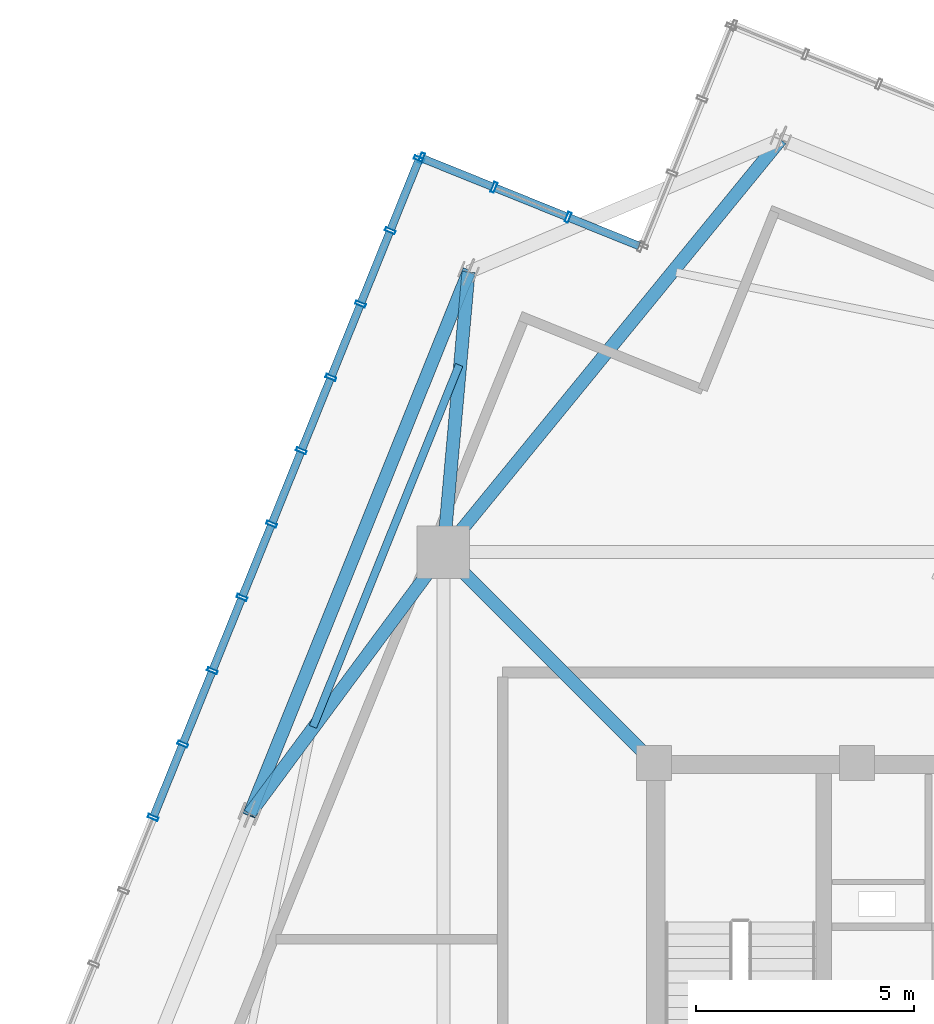
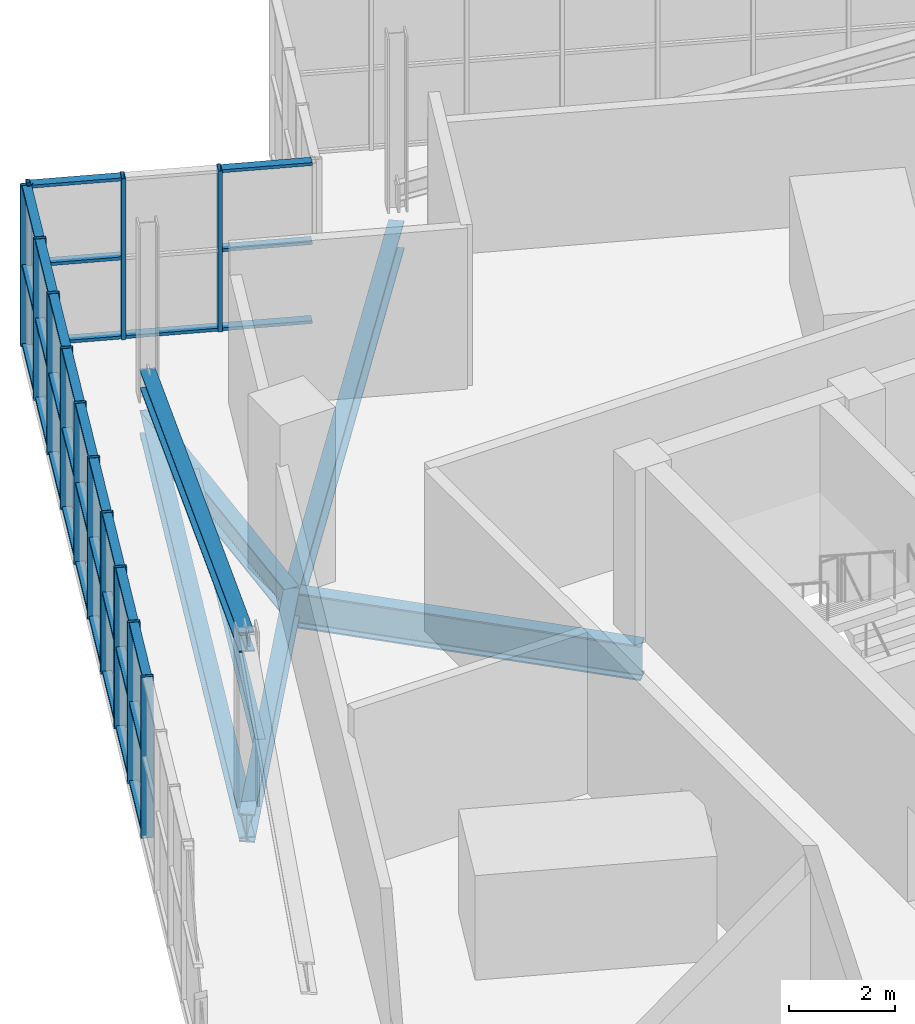
# One storey, part 12 of 26: 48 members, 6 beams, 2 elements without a shape of their own.
"""IFC4 building model written with IfcOpenShell, lengths in metres."""

from ifc_helpers import new_model, si_unit, direction, frame, origin, origin_2d, place, context, subcontext, project, spatial, hollow_rectangle, i_section, extrude, source, transform, mapped, material, layer, layer_set, material_profile, profile_set, type_object, element, aggregate, save


model = new_model("IFC4")

# Units and contexts
model_context = context("Model", 3, precision=1e-05, world=origin(), true_north=direction((0.0, 1.0)))
body_context = subcontext(model_context, "Body", "Model", "MODEL_VIEW")
ifc_project = project(units=[si_unit("LENGTHUNIT", "METRE"), si_unit("AREAUNIT", "SQUARE_METRE"), si_unit("VOLUMEUNIT", "CUBIC_METRE"), si_unit("PLANEANGLEUNIT", "RADIAN"), si_unit("MASSUNIT", "GRAM", prefix="KILO"), si_unit("THERMODYNAMICTEMPERATUREUNIT", "KELVIN")], contexts=[model_context])

# Site, building, storey
site_placement = place(None, origin())
site = spatial("IfcSite", under=ifc_project, at=site_placement, CompositionType="ELEMENT")
building_placement = place(site_placement, origin())
building = spatial("IfcBuilding", under=site, at=building_placement, Name="Kosmvard Interchange Tower", CompositionType="ELEMENT")
storey_placement = place(building_placement, frame((0.0, 0.0, 337.60009765625)))
storey = spatial("IfcBuildingStorey", under=building, at=storey_placement, Name="L83", CompositionType="ELEMENT", Elevation=337.60009765625)

# Beam
ifc_material_1 = material(Name="Steel S355", Category="steel")
ifc_material_profile_1 = material_profile(ifc_material_1, i_section(OverallWidth=0.300048828125, OverallDepth=0.800048828125, WebThickness=0.017578125, FlangeThickness=0.032958984375, FilletRadius=0.027099609375, at=origin_2d()), Name="HEB 800")
ifc_profile_set_1 = profile_set([ifc_material_profile_1], Name="Steel S355")
beam_type_1 = type_object("IfcBeamType", Name="Primary Mega-Frame Girder HEB 800 S355", PredefinedType="BEAM", material=ifc_profile_set_1)
shared_shape_1 = source(origin(), body_context, "Body", "SweptSolid", [
    extrude(i_section(OverallWidth=0.300048828125, OverallDepth=0.800048828125, WebThickness=0.017578125, FlangeThickness=0.032958984375, FilletRadius=0.027099609375, at=origin_2d()), origin(), (0.0, 0.0, 1.0), 6.83203125),
])
beam_1_placement = place(storey_placement, frame((-8.25, 8.25, -0.7001953125), z_axis=(-0.707106781187, 0.707106781187, 0.0), x_axis=(-0.707106781187, -0.707106781187, 0.0)))
element("IfcBeam", 1, at=beam_1_placement, inside=storey, type_object=beam_type_1, Name="L83 Radial Mega-Frame Girder 4", PredefinedType="BEAM", context=body_context, shape_type="MappedRepresentation", body=[
    mapped(shared_shape_1, transform((0.0, 0.0, 0.0), scale=1.0)),
])

# Member
ifc_material_profile_2 = material_profile(ifc_material_1, i_section(OverallWidth=0.300048828125, OverallDepth=0.39990234375, WebThickness=0.013427734375, FlangeThickness=0.02392578125, FilletRadius=0.027099609375, at=origin_2d()), Name="HEB 400")
ifc_profile_set_2 = profile_set([ifc_material_profile_2], Name="Steel S355")
member_type_1 = type_object("IfcMemberType", Name="Lantern Crown Diagrid Brace HEB 400 S355", PredefinedType="BRACE", material=ifc_profile_set_2)
shared_shape_2 = source(origin(), body_context, "Body", "SweptSolid", [
    extrude(i_section(OverallWidth=0.300048828125, OverallDepth=0.39990234375, WebThickness=0.013427734375, FlangeThickness=0.02392578125, FilletRadius=0.027099609375, at=origin_2d()), origin(), (0.0, 0.0, 1.0), 13.78369140625),
])
member_1_placement = place(storey_placement, frame((-12.504150390625, 19.50439453125, 0.419921875), z_axis=(-0.364162635972, -0.901373372792, 0.234332279859), x_axis=(0.927189515839, -0.374592580972, 0.0)))
element("IfcMember", 2, at=member_1_placement, inside=storey, type_object=member_type_1, Name="L83 Crown Lantern Diagrid Brace N1", PredefinedType="BRACE", context=body_context, shape_type="MappedRepresentation", body=[
    mapped(shared_shape_2, transform((0.0, 0.0, 0.0), scale=1.0)),
])

# Beams
ifc_material_profile_3 = material_profile(ifc_material_1, i_section(OverallWidth=0.300048828125, OverallDepth=0.550048828125, WebThickness=0.014892578125, FlangeThickness=0.029052734375, FilletRadius=0.027099609375, at=origin_2d()), Name="HEB 550")
ifc_profile_set_3 = profile_set([ifc_material_profile_3], Name="Steel S355")
beam_type_2 = type_object("IfcBeamType", Name="Crown Ring Cap Girder HEB 550 S355", PredefinedType="BEAM", material=ifc_profile_set_3)
shared_shape_3 = source(origin(), body_context, "Body", "SweptSolid", [
    extrude(i_section(OverallWidth=0.300048828125, OverallDepth=0.550048828125, WebThickness=0.014892578125, FlangeThickness=0.029052734375, FilletRadius=0.027099609375, at=origin_2d()), origin(), (0.0, 0.0, 1.0), 13.39990234375),
])
beam_2_placement = place(storey_placement, frame((-12.504150390625, 19.50439453125, -0.5751953125), z_axis=(-0.374592580972, -0.927189515839, 0.0), x_axis=(0.927189515839, -0.374592580972, 0.0)))
element("IfcBeam", 3, at=beam_2_placement, inside=storey, type_object=beam_type_2, Name="BM-L83-PR07", PredefinedType="BEAM", context=body_context, shape_type="MappedRepresentation", body=[
    mapped(shared_shape_3, transform((0.0, 0.0, 0.0), scale=1.0)),
])
ifc_material_profile_4 = material_profile(ifc_material_1, i_section(OverallWidth=0.300048828125, OverallDepth=0.64990234375, WebThickness=0.01611328125, FlangeThickness=0.031005859375, FilletRadius=0.027099609375, at=origin_2d()), Name="HEB 650")
ifc_profile_set_4 = profile_set([ifc_material_profile_4], Name="Steel S355")
beam_type_3 = type_object("IfcBeamType", Name="Primary Floor Girder HEB 650 S355", PredefinedType="BEAM", material=ifc_profile_set_4)
shared_shape_4 = source(origin(), body_context, "Body", "SweptSolid", [
    extrude(i_section(OverallWidth=0.300048828125, OverallDepth=0.64990234375, WebThickness=0.01611328125, FlangeThickness=0.031005859375, FilletRadius=0.027099609375, at=origin_2d()), origin(), (0.0, 0.0, 1.0), 6.44921875),
])
beam_3_placement = place(storey_placement, frame((-13.0810546875, 13.0810546875, -0.625), z_axis=(0.089453694068, 0.995990982197, 0.0), x_axis=(-0.995990982197, 0.089453694068, 0.0)))
element("IfcBeam", 4, at=beam_3_placement, inside=storey, type_object=beam_type_3, Name="BM-L83-RD07", PredefinedType="BEAM", context=body_context, shape_type="MappedRepresentation", body=[
    mapped(shared_shape_4, transform((0.0, 0.0, 0.0), scale=1.0)),
])
shared_shape_5 = source(origin(), body_context, "Body", "SweptSolid", [
    extrude(i_section(OverallWidth=0.300048828125, OverallDepth=0.64990234375, WebThickness=0.01611328125, FlangeThickness=0.031005859375, FilletRadius=0.027099609375, at=origin_2d()), origin(), (0.0, 0.0, 1.0), 7.466552734375),
])
beam_4_placement = place(storey_placement, frame((-13.0810546875, 13.0810546875, -0.625), z_axis=(-0.595007793491, -0.803719929879, 0.0), x_axis=(0.803719929879, -0.595007793491, 0.0)))
element("IfcBeam", 5, at=beam_4_placement, inside=storey, type_object=beam_type_3, Name="BM-L83-RD08", PredefinedType="BEAM", context=body_context, shape_type="MappedRepresentation", body=[
    mapped(shared_shape_5, transform((0.0, 0.0, 0.0), scale=1.0)),
])
shared_shape_6 = source(origin(), body_context, "Body", "SweptSolid", [
    extrude(i_section(OverallWidth=0.300048828125, OverallDepth=0.64990234375, WebThickness=0.01611328125, FlangeThickness=0.031005859375, FilletRadius=0.027099609375, at=origin_2d()), origin(), (0.0, 0.0, 1.0), 12.22265625),
])
beam_5_placement = place(storey_placement, frame((-13.0810546875, 13.0810546875, -0.625), z_axis=(0.632985408079, 0.774163725034, 0.0), x_axis=(-0.774163725034, 0.632985408079, 0.0)))
element("IfcBeam", 6, at=beam_5_placement, inside=storey, type_object=beam_type_3, Name="BM-L83-RD06", PredefinedType="BEAM", context=body_context, shape_type="MappedRepresentation", body=[
    mapped(shared_shape_6, transform((0.0, 0.0, 0.0), scale=1.0)),
])
ifc_material_profile_5 = material_profile(ifc_material_1, i_section(OverallWidth=0.179931640625, OverallDepth=0.39990234375, WebThickness=0.008544921875, FlangeThickness=0.013427734375, FilletRadius=0.02099609375, at=origin_2d()), Name="IPE 400")
ifc_profile_set_5 = profile_set([ifc_material_profile_5], Name="Steel S355")
beam_type_4 = type_object("IfcBeamType", Name="Upper-Zone Floor Joist IPE 400 S355", PredefinedType="JOIST", material=ifc_profile_set_5)
shared_shape_7 = source(origin(), body_context, "Body", "SweptSolid", [
    extrude(i_section(OverallWidth=0.179931640625, OverallDepth=0.39990234375, WebThickness=0.008544921875, FlangeThickness=0.013427734375, FilletRadius=0.02099609375, at=origin_2d()), origin(), (0.0, 0.0, 1.0), 8.9521484375),
])
beam_6_placement = place(storey_placement, frame((-12.71875, 17.374755859375, -0.5), z_axis=(-0.374581187736, -0.927194118723, 0.0), x_axis=(0.927194118723, -0.374581187736, 0.0)))
element("IfcBeam", 7, at=beam_6_placement, inside=storey, type_object=beam_type_4, Name="BM-L83-FJ05", PredefinedType="JOIST", context=body_context, shape_type="MappedRepresentation", body=[
    mapped(shared_shape_7, transform((0.0, 0.0, 0.0), scale=1.0)),
])

# Curtain wall, members
ifc_material_2 = material(Name="Architectural anodised aluminium", Category="aluminium")
ifc_layer = layer(ifc_material_2, 0.25, Name="Architectural anodised aluminium")
ifc_layer_set = layer_set([ifc_layer], Name="Architectural anodised aluminium")
curtain_wall_type = type_object("IfcCurtainWallType", Name="CW-6 Illuminated Crown Lantern Curtain Wall", PredefinedType="NOTDEFINED", material=ifc_layer_set)
curtain_wall_1_placement = place(storey_placement, origin())
curtain_wall_1 = element("IfcCurtainWall", 8, at=curtain_wall_1_placement, inside=storey, type_object=curtain_wall_type, Name="L83 Crown Lantern Glazing Face 06", PredefinedType="NOTDEFINED")
ifc_material_profile_6 = material_profile(ifc_material_2, hollow_rectangle(XDim=0.239990234375, YDim=0.080078125, WallThickness=0.006103515625, at=origin_2d()), Name="CWM 240x80x6")
ifc_profile_set_6 = profile_set([ifc_material_profile_6], Name="Architectural anodised aluminium")
member_type_2 = type_object("IfcMemberType", Name="Lantern & Observation CW Mullion 240x80 Aluminium", PredefinedType="MULLION", material=ifc_profile_set_6)
shared_shape_8 = source(origin(), body_context, "Body", "SweptSolid", [
    extrude(hollow_rectangle(XDim=0.239990234375, YDim=0.080078125, WallThickness=0.006103515625, at=origin_2d()), origin(), (0.0, 0.0, 1.0), 3.699951171875),
])
member_2_placement = place(storey_placement, frame((-10.220458984375, 20.760498046875, 0.0), z_axis=(0.0, 0.0, 1.0), x_axis=(-0.374606501678, -0.927183891631, 0.0)))
member_2 = element("IfcMember", 9, at=member_2_placement, type_object=member_type_2, Name="CW-6 mullion 2", PredefinedType="MULLION", context=body_context, shape_type="MappedRepresentation", body=[
    mapped(shared_shape_8, transform((0.0, 0.0, 0.0), scale=1.0)),
])
member_3_placement = place(storey_placement, frame((-11.92041015625, 21.447265625, 0.0), z_axis=(0.0, 0.0, 1.0), x_axis=(-0.374606501678, -0.927183891631, 0.0)))
member_3 = element("IfcMember", 10, at=member_3_placement, type_object=member_type_2, Name="CW-6 mullion 3", PredefinedType="MULLION", context=body_context, shape_type="MappedRepresentation", body=[
    mapped(shared_shape_8, transform((0.0, 0.0, 0.0), scale=1.0)),
])
member_4_placement = place(storey_placement, frame((-13.583251953125, 22.118896484375, 0.0), z_axis=(0.0, 0.0, 1.0), x_axis=(-0.374606501678, -0.927183891631, 0.0)))
member_4 = element("IfcMember", 11, at=member_4_placement, type_object=member_type_2, Name="CW-6 mullion 4", PredefinedType="MULLION", context=body_context, shape_type="MappedRepresentation", body=[
    mapped(shared_shape_8, transform((0.0, 0.0, 0.0), scale=1.0)),
])

curtain_wall_2_placement = place(storey_placement, origin())
curtain_wall_2 = element("IfcCurtainWall", 12, at=curtain_wall_2_placement, inside=storey, type_object=curtain_wall_type, Name="L83 Crown Lantern Glazing Face 07", PredefinedType="NOTDEFINED")
member_5_placement = place(storey_placement, frame((-13.63525390625, 22.096923828125, 0.0), z_axis=(0.0, 0.0, 1.0), x_axis=(0.927183858065, -0.374606584758, 0.0)))
member_5 = element("IfcMember", 13, at=member_5_placement, type_object=member_type_2, Name="CW-6 mullion 1", PredefinedType="MULLION", context=body_context, shape_type="MappedRepresentation", body=[
    mapped(shared_shape_8, transform((0.0, 0.0, 0.0), scale=1.0)),
])
member_6_placement = place(storey_placement, frame((-14.2998046875, 20.451904296875, 0.0), z_axis=(0.0, 0.0, 1.0), x_axis=(0.927183858065, -0.374606584758, 0.0)))
member_6 = element("IfcMember", 14, at=member_6_placement, type_object=member_type_2, Name="CW-6 mullion 2", PredefinedType="MULLION", context=body_context, shape_type="MappedRepresentation", body=[
    mapped(shared_shape_8, transform((0.0, 0.0, 0.0), scale=1.0)),
])
member_7_placement = place(storey_placement, frame((-14.9794921875, 18.77001953125, 0.0), z_axis=(0.0, 0.0, 1.0), x_axis=(0.927183858065, -0.374606584758, 0.0)))
member_7 = element("IfcMember", 15, at=member_7_placement, type_object=member_type_2, Name="CW-6 mullion 3", PredefinedType="MULLION", context=body_context, shape_type="MappedRepresentation", body=[
    mapped(shared_shape_8, transform((0.0, 0.0, 0.0), scale=1.0)),
])
member_8_placement = place(storey_placement, frame((-15.658935546875, 17.087890625, 0.0), z_axis=(0.0, 0.0, 1.0), x_axis=(0.927183858065, -0.374606584758, 0.0)))
member_8 = element("IfcMember", 16, at=member_8_placement, type_object=member_type_2, Name="CW-6 mullion 4", PredefinedType="MULLION", context=body_context, shape_type="MappedRepresentation", body=[
    mapped(shared_shape_8, transform((0.0, 0.0, 0.0), scale=1.0)),
])
member_9_placement = place(storey_placement, frame((-16.338623046875, 15.40576171875, 0.0), z_axis=(0.0, 0.0, 1.0), x_axis=(0.927183858065, -0.374606584758, 0.0)))
member_9 = element("IfcMember", 17, at=member_9_placement, type_object=member_type_2, Name="CW-6 mullion 5", PredefinedType="MULLION", context=body_context, shape_type="MappedRepresentation", body=[
    mapped(shared_shape_8, transform((0.0, 0.0, 0.0), scale=1.0)),
])
member_10_placement = place(storey_placement, frame((-17.01806640625, 13.723876953125, 0.0), z_axis=(0.0, 0.0, 1.0), x_axis=(0.927183858065, -0.374606584758, 0.0)))
member_10 = element("IfcMember", 18, at=member_10_placement, type_object=member_type_2, Name="CW-6 mullion 6", PredefinedType="MULLION", context=body_context, shape_type="MappedRepresentation", body=[
    mapped(shared_shape_8, transform((0.0, 0.0, 0.0), scale=1.0)),
])
member_11_placement = place(storey_placement, frame((-17.69775390625, 12.041748046875, 0.0), z_axis=(0.0, 0.0, 1.0), x_axis=(0.927183858065, -0.374606584758, 0.0)))
member_11 = element("IfcMember", 19, at=member_11_placement, type_object=member_type_2, Name="CW-6 mullion 7", PredefinedType="MULLION", context=body_context, shape_type="MappedRepresentation", body=[
    mapped(shared_shape_8, transform((0.0, 0.0, 0.0), scale=1.0)),
])
member_12_placement = place(storey_placement, frame((-18.377197265625, 10.35986328125, 0.0), z_axis=(0.0, 0.0, 1.0), x_axis=(0.927183858065, -0.374606584758, 0.0)))
member_12 = element("IfcMember", 20, at=member_12_placement, type_object=member_type_2, Name="CW-6 mullion 8", PredefinedType="MULLION", context=body_context, shape_type="MappedRepresentation", body=[
    mapped(shared_shape_8, transform((0.0, 0.0, 0.0), scale=1.0)),
])
member_13_placement = place(storey_placement, frame((-19.056884765625, 8.677734375, 0.0), z_axis=(0.0, 0.0, 1.0), x_axis=(0.927183858065, -0.374606584758, 0.0)))
member_13 = element("IfcMember", 21, at=member_13_placement, type_object=member_type_2, Name="CW-6 mullion 9", PredefinedType="MULLION", context=body_context, shape_type="MappedRepresentation", body=[
    mapped(shared_shape_8, transform((0.0, 0.0, 0.0), scale=1.0)),
])
member_14_placement = place(storey_placement, frame((-19.736572265625, 6.995849609375, 0.0), z_axis=(0.0, 0.0, 1.0), x_axis=(0.927183858065, -0.374606584758, 0.0)))
member_14 = element("IfcMember", 22, at=member_14_placement, type_object=member_type_2, Name="CW-6 mullion 10", PredefinedType="MULLION", context=body_context, shape_type="MappedRepresentation", body=[
    mapped(shared_shape_8, transform((0.0, 0.0, 0.0), scale=1.0)),
])
ifc_material_profile_7 = material_profile(ifc_material_2, hollow_rectangle(XDim=0.179931640625, YDim=0.070068359375, WallThickness=0.0048828125, at=origin_2d()), Name="CWT 180x70x5")
ifc_profile_set_7 = profile_set([ifc_material_profile_7], Name="Architectural anodised aluminium")
member_type_3 = type_object("IfcMemberType", Name="Heavy Lantern CW Transom 180x70 Aluminium", PredefinedType="USERDEFINED", material=ifc_profile_set_7)
shared_shape_9 = source(origin(), body_context, "Body", "SweptSolid", [
    extrude(hollow_rectangle(XDim=0.179931640625, YDim=0.070068359375, WallThickness=0.0048828125, at=origin_2d()), origin(), (0.0, 0.0, 1.0), 1.694091796875),
])
member_15_placement = place(storey_placement, frame((-13.650146484375, 22.059814453125, 0.034912109375), z_axis=(-0.374667946298, -0.927159064032, 0.0), x_axis=(0.927159064032, -0.374667946298, 0.0)))
member_15 = element("IfcMember", 23, at=member_15_placement, type_object=member_type_3, Name="CW-6 transom 1.1", ObjectType="TRANSOM", PredefinedType="USERDEFINED", context=body_context, shape_type="MappedRepresentation", body=[
    mapped(shared_shape_9, transform((0.0, 0.0, 0.0), scale=1.0)),
])
member_16_placement = place(storey_placement, frame((-13.650146484375, 22.059814453125, 1.849853515625), z_axis=(-0.374667946298, -0.927159064032, 0.0), x_axis=(0.927159064032, -0.374667946298, 0.0)))
member_16 = element("IfcMember", 24, at=member_16_placement, type_object=member_type_3, Name="CW-6 transom 1.2", ObjectType="TRANSOM", PredefinedType="USERDEFINED", context=body_context, shape_type="MappedRepresentation", body=[
    mapped(shared_shape_9, transform((0.0, 0.0, 0.0), scale=1.0)),
])
member_17_placement = place(storey_placement, frame((-13.650146484375, 22.059814453125, 3.664794921875), z_axis=(-0.374667946298, -0.927159064032, 0.0), x_axis=(0.927159064032, -0.374667946298, 0.0)))
member_17 = element("IfcMember", 25, at=member_17_placement, type_object=member_type_3, Name="CW-6 transom 1.3", ObjectType="TRANSOM", PredefinedType="USERDEFINED", context=body_context, shape_type="MappedRepresentation", body=[
    mapped(shared_shape_9, transform((0.0, 0.0, 0.0), scale=1.0)),
])
shared_shape_10 = source(origin(), body_context, "Body", "SweptSolid", [
    extrude(hollow_rectangle(XDim=0.179931640625, YDim=0.070068359375, WallThickness=0.0048828125, at=origin_2d()), origin(), (0.0, 0.0, 1.0), 1.734130859375),
])
member_18_placement = place(storey_placement, frame((-14.314697265625, 20.414794921875, 0.034912109375), z_axis=(-0.374616671924, -0.927179782522, 0.0), x_axis=(0.927179782522, -0.374616671924, 0.0)))
member_18 = element("IfcMember", 26, at=member_18_placement, type_object=member_type_3, Name="CW-6 transom 2.1", ObjectType="TRANSOM", PredefinedType="USERDEFINED", context=body_context, shape_type="MappedRepresentation", body=[
    mapped(shared_shape_10, transform((0.0, 0.0, 0.0), scale=1.0)),
])
member_19_placement = place(storey_placement, frame((-14.314697265625, 20.414794921875, 1.849853515625), z_axis=(-0.374616671924, -0.927179782522, 0.0), x_axis=(0.927179782522, -0.374616671924, 0.0)))
member_19 = element("IfcMember", 27, at=member_19_placement, type_object=member_type_3, Name="CW-6 transom 2.2", ObjectType="TRANSOM", PredefinedType="USERDEFINED", context=body_context, shape_type="MappedRepresentation", body=[
    mapped(shared_shape_10, transform((0.0, 0.0, 0.0), scale=1.0)),
])
member_20_placement = place(storey_placement, frame((-14.314697265625, 20.414794921875, 3.664794921875), z_axis=(-0.374616671924, -0.927179782522, 0.0), x_axis=(0.927179782522, -0.374616671924, 0.0)))
member_20 = element("IfcMember", 28, at=member_20_placement, type_object=member_type_3, Name="CW-6 transom 2.3", ObjectType="TRANSOM", PredefinedType="USERDEFINED", context=body_context, shape_type="MappedRepresentation", body=[
    mapped(shared_shape_10, transform((0.0, 0.0, 0.0), scale=1.0)),
])
member_21_placement = place(storey_placement, frame((-14.994384765625, 18.73291015625, 0.034912109375), z_axis=(-0.374616671924, -0.927179782522, 0.0), x_axis=(0.927179782522, -0.374616671924, 0.0)))
member_21 = element("IfcMember", 29, at=member_21_placement, type_object=member_type_3, Name="CW-6 transom 3.1", ObjectType="TRANSOM", PredefinedType="USERDEFINED", context=body_context, shape_type="MappedRepresentation", body=[
    mapped(shared_shape_10, transform((0.0, 0.0, 0.0), scale=1.0)),
])
member_22_placement = place(storey_placement, frame((-14.994384765625, 18.73291015625, 1.849853515625), z_axis=(-0.374616671924, -0.927179782522, 0.0), x_axis=(0.927179782522, -0.374616671924, 0.0)))
member_22 = element("IfcMember", 30, at=member_22_placement, type_object=member_type_3, Name="CW-6 transom 3.2", ObjectType="TRANSOM", PredefinedType="USERDEFINED", context=body_context, shape_type="MappedRepresentation", body=[
    mapped(shared_shape_10, transform((0.0, 0.0, 0.0), scale=1.0)),
])
member_23_placement = place(storey_placement, frame((-14.994384765625, 18.73291015625, 3.664794921875), z_axis=(-0.374616671924, -0.927179782522, 0.0), x_axis=(0.927179782522, -0.374616671924, 0.0)))
member_23 = element("IfcMember", 31, at=member_23_placement, type_object=member_type_3, Name="CW-6 transom 3.3", ObjectType="TRANSOM", PredefinedType="USERDEFINED", context=body_context, shape_type="MappedRepresentation", body=[
    mapped(shared_shape_10, transform((0.0, 0.0, 0.0), scale=1.0)),
])
member_24_placement = place(storey_placement, frame((-15.674072265625, 17.05078125, 0.034912109375), z_axis=(-0.374495638732, -0.927228675447, 0.0), x_axis=(0.927228675447, -0.374495638732, 0.0)))
member_24 = element("IfcMember", 32, at=member_24_placement, type_object=member_type_3, Name="CW-6 transom 4.1", ObjectType="TRANSOM", PredefinedType="USERDEFINED", context=body_context, shape_type="MappedRepresentation", body=[
    mapped(shared_shape_10, transform((0.0, 0.0, 0.0), scale=1.0)),
])
member_25_placement = place(storey_placement, frame((-15.674072265625, 17.05078125, 1.849853515625), z_axis=(-0.374495638732, -0.927228675447, 0.0), x_axis=(0.927228675447, -0.374495638732, 0.0)))
member_25 = element("IfcMember", 33, at=member_25_placement, type_object=member_type_3, Name="CW-6 transom 4.2", ObjectType="TRANSOM", PredefinedType="USERDEFINED", context=body_context, shape_type="MappedRepresentation", body=[
    mapped(shared_shape_10, transform((0.0, 0.0, 0.0), scale=1.0)),
])
member_26_placement = place(storey_placement, frame((-15.674072265625, 17.05078125, 3.664794921875), z_axis=(-0.374495638732, -0.927228675447, 0.0), x_axis=(0.927228675447, -0.374495638732, 0.0)))
member_26 = element("IfcMember", 34, at=member_26_placement, type_object=member_type_3, Name="CW-6 transom 4.3", ObjectType="TRANSOM", PredefinedType="USERDEFINED", context=body_context, shape_type="MappedRepresentation", body=[
    mapped(shared_shape_10, transform((0.0, 0.0, 0.0), scale=1.0)),
])
member_27_placement = place(storey_placement, frame((-16.353515625, 15.368896484375, 0.034912109375), z_axis=(-0.374616671924, -0.927179782522, 0.0), x_axis=(0.927179782522, -0.374616671924, 0.0)))
member_27 = element("IfcMember", 35, at=member_27_placement, type_object=member_type_3, Name="CW-6 transom 5.1", ObjectType="TRANSOM", PredefinedType="USERDEFINED", context=body_context, shape_type="MappedRepresentation", body=[
    mapped(shared_shape_10, transform((0.0, 0.0, 0.0), scale=1.0)),
])
member_28_placement = place(storey_placement, frame((-16.353515625, 15.368896484375, 1.849853515625), z_axis=(-0.374616671924, -0.927179782522, 0.0), x_axis=(0.927179782522, -0.374616671924, 0.0)))
member_28 = element("IfcMember", 36, at=member_28_placement, type_object=member_type_3, Name="CW-6 transom 5.2", ObjectType="TRANSOM", PredefinedType="USERDEFINED", context=body_context, shape_type="MappedRepresentation", body=[
    mapped(shared_shape_10, transform((0.0, 0.0, 0.0), scale=1.0)),
])
member_29_placement = place(storey_placement, frame((-16.353515625, 15.368896484375, 3.664794921875), z_axis=(-0.374616671924, -0.927179782522, 0.0), x_axis=(0.927179782522, -0.374616671924, 0.0)))
member_29 = element("IfcMember", 37, at=member_29_placement, type_object=member_type_3, Name="CW-6 transom 5.3", ObjectType="TRANSOM", PredefinedType="USERDEFINED", context=body_context, shape_type="MappedRepresentation", body=[
    mapped(shared_shape_10, transform((0.0, 0.0, 0.0), scale=1.0)),
])
member_30_placement = place(storey_placement, frame((-17.033203125, 13.686767578125, 0.034912109375), z_axis=(-0.374616671924, -0.927179782522, 0.0), x_axis=(0.927179782522, -0.374616671924, 0.0)))
member_30 = element("IfcMember", 38, at=member_30_placement, type_object=member_type_3, Name="CW-6 transom 6.1", ObjectType="TRANSOM", PredefinedType="USERDEFINED", context=body_context, shape_type="MappedRepresentation", body=[
    mapped(shared_shape_10, transform((0.0, 0.0, 0.0), scale=1.0)),
])
member_31_placement = place(storey_placement, frame((-17.033203125, 13.686767578125, 1.849853515625), z_axis=(-0.374616671924, -0.927179782522, 0.0), x_axis=(0.927179782522, -0.374616671924, 0.0)))
member_31 = element("IfcMember", 39, at=member_31_placement, type_object=member_type_3, Name="CW-6 transom 6.2", ObjectType="TRANSOM", PredefinedType="USERDEFINED", context=body_context, shape_type="MappedRepresentation", body=[
    mapped(shared_shape_10, transform((0.0, 0.0, 0.0), scale=1.0)),
])
member_32_placement = place(storey_placement, frame((-17.033203125, 13.686767578125, 3.664794921875), z_axis=(-0.374616671924, -0.927179782522, 0.0), x_axis=(0.927179782522, -0.374616671924, 0.0)))
member_32 = element("IfcMember", 40, at=member_32_placement, type_object=member_type_3, Name="CW-6 transom 6.3", ObjectType="TRANSOM", PredefinedType="USERDEFINED", context=body_context, shape_type="MappedRepresentation", body=[
    mapped(shared_shape_10, transform((0.0, 0.0, 0.0), scale=1.0)),
])
member_33_placement = place(storey_placement, frame((-18.392333984375, 10.32275390625, 0.034912109375), z_axis=(-0.374616671924, -0.927179782522, 0.0), x_axis=(0.927179782522, -0.374616671924, 0.0)))
member_33 = element("IfcMember", 41, at=member_33_placement, type_object=member_type_3, Name="CW-6 transom 8.1", ObjectType="TRANSOM", PredefinedType="USERDEFINED", context=body_context, shape_type="MappedRepresentation", body=[
    mapped(shared_shape_10, transform((0.0, 0.0, 0.0), scale=1.0)),
])
member_34_placement = place(storey_placement, frame((-18.392333984375, 10.32275390625, 1.849853515625), z_axis=(-0.374616671924, -0.927179782522, 0.0), x_axis=(0.927179782522, -0.374616671924, 0.0)))
member_34 = element("IfcMember", 42, at=member_34_placement, type_object=member_type_3, Name="CW-6 transom 8.2", ObjectType="TRANSOM", PredefinedType="USERDEFINED", context=body_context, shape_type="MappedRepresentation", body=[
    mapped(shared_shape_10, transform((0.0, 0.0, 0.0), scale=1.0)),
])
member_35_placement = place(storey_placement, frame((-18.392333984375, 10.32275390625, 3.664794921875), z_axis=(-0.374616671924, -0.927179782522, 0.0), x_axis=(0.927179782522, -0.374616671924, 0.0)))
member_35 = element("IfcMember", 43, at=member_35_placement, type_object=member_type_3, Name="CW-6 transom 8.3", ObjectType="TRANSOM", PredefinedType="USERDEFINED", context=body_context, shape_type="MappedRepresentation", body=[
    mapped(shared_shape_10, transform((0.0, 0.0, 0.0), scale=1.0)),
])
shared_shape_11 = source(origin(), body_context, "Body", "SweptSolid", [
    extrude(hollow_rectangle(XDim=0.179931640625, YDim=0.070068359375, WallThickness=0.0048828125, at=origin_2d()), origin(), (0.0, 0.0, 1.0), 1.73388671875),
])
member_36_placement = place(storey_placement, frame((-17.712646484375, 12.004638671875, 0.034912109375), z_axis=(-0.374665576032, -0.927160021861, 0.0), x_axis=(0.927160021861, -0.374665576032, 0.0)))
member_36 = element("IfcMember", 44, at=member_36_placement, type_object=member_type_3, Name="CW-6 transom 7.1", ObjectType="TRANSOM", PredefinedType="USERDEFINED", context=body_context, shape_type="MappedRepresentation", body=[
    mapped(shared_shape_11, transform((0.0, 0.0, 0.0), scale=1.0)),
])
member_37_placement = place(storey_placement, frame((-17.712646484375, 12.004638671875, 1.849853515625), z_axis=(-0.374665576032, -0.927160021861, 0.0), x_axis=(0.927160021861, -0.374665576032, 0.0)))
member_37 = element("IfcMember", 45, at=member_37_placement, type_object=member_type_3, Name="CW-6 transom 7.2", ObjectType="TRANSOM", PredefinedType="USERDEFINED", context=body_context, shape_type="MappedRepresentation", body=[
    mapped(shared_shape_11, transform((0.0, 0.0, 0.0), scale=1.0)),
])
member_38_placement = place(storey_placement, frame((-17.712646484375, 12.004638671875, 3.664794921875), z_axis=(-0.374665576032, -0.927160021861, 0.0), x_axis=(0.927160021861, -0.374665576032, 0.0)))
member_38 = element("IfcMember", 46, at=member_38_placement, type_object=member_type_3, Name="CW-6 transom 7.3", ObjectType="TRANSOM", PredefinedType="USERDEFINED", context=body_context, shape_type="MappedRepresentation", body=[
    mapped(shared_shape_11, transform((0.0, 0.0, 0.0), scale=1.0)),
])
member_39_placement = place(storey_placement, frame((-19.07177734375, 8.640625, 0.034912109375), z_axis=(-0.374665576032, -0.927160021861, 0.0), x_axis=(0.927160021861, -0.374665576032, 0.0)))
member_39 = element("IfcMember", 47, at=member_39_placement, type_object=member_type_3, Name="CW-6 transom 9.1", ObjectType="TRANSOM", PredefinedType="USERDEFINED", context=body_context, shape_type="MappedRepresentation", body=[
    mapped(shared_shape_11, transform((0.0, 0.0, 0.0), scale=1.0)),
])
member_40_placement = place(storey_placement, frame((-19.07177734375, 8.640625, 1.849853515625), z_axis=(-0.374665576032, -0.927160021861, 0.0), x_axis=(0.927160021861, -0.374665576032, 0.0)))
member_40 = element("IfcMember", 48, at=member_40_placement, type_object=member_type_3, Name="CW-6 transom 9.2", ObjectType="TRANSOM", PredefinedType="USERDEFINED", context=body_context, shape_type="MappedRepresentation", body=[
    mapped(shared_shape_11, transform((0.0, 0.0, 0.0), scale=1.0)),
])
member_41_placement = place(storey_placement, frame((-19.07177734375, 8.640625, 3.664794921875), z_axis=(-0.374665576032, -0.927160021861, 0.0), x_axis=(0.927160021861, -0.374665576032, 0.0)))
member_41 = element("IfcMember", 49, at=member_41_placement, type_object=member_type_3, Name="CW-6 transom 9.3", ObjectType="TRANSOM", PredefinedType="USERDEFINED", context=body_context, shape_type="MappedRepresentation", body=[
    mapped(shared_shape_11, transform((0.0, 0.0, 0.0), scale=1.0)),
])
aggregate(curtain_wall_2, [member_5, member_6, member_7, member_8, member_9, member_10, member_11, member_12, member_13, member_14, member_15, member_16, member_17, member_18, member_19, member_20, member_21, member_22, member_23, member_24, member_25, member_26, member_27, member_28, member_29, member_30, member_31, member_32, member_36, member_37, member_38, member_33, member_34, member_35, member_39, member_40, member_41])

# Member
shared_shape_12 = source(origin(), body_context, "Body", "SweptSolid", [
    extrude(hollow_rectangle(XDim=0.179931640625, YDim=0.070068359375, WallThickness=0.0048828125, at=origin_2d()), origin(), (0.0, 0.0, 1.0), 1.71337890625),
])
member_42_placement = place(storey_placement, frame((-8.594970703125, 20.103515625, 0.034912109375), z_axis=(-0.927183787829, 0.374606758599, 0.0), x_axis=(-0.374606758599, -0.927183787829, 0.0)))
member_42 = element("IfcMember", 50, at=member_42_placement, type_object=member_type_3, Name="CW-6 transom 1.1", ObjectType="TRANSOM", PredefinedType="USERDEFINED", context=body_context, shape_type="MappedRepresentation", body=[
    mapped(shared_shape_12, transform((0.0, 0.0, 0.0), scale=1.0)),
])

member_43_placement = place(storey_placement, frame((-8.594970703125, 20.103515625, 1.849853515625), z_axis=(-0.927183787829, 0.374606758599, 0.0), x_axis=(-0.374606758599, -0.927183787829, 0.0)))
member_43 = element("IfcMember", 51, at=member_43_placement, type_object=member_type_3, Name="CW-6 transom 1.2", ObjectType="TRANSOM", PredefinedType="USERDEFINED", context=body_context, shape_type="MappedRepresentation", body=[
    mapped(shared_shape_12, transform((0.0, 0.0, 0.0), scale=1.0)),
])

member_44_placement = place(storey_placement, frame((-8.594970703125, 20.103515625, 3.664794921875), z_axis=(-0.927183787829, 0.374606758599, 0.0), x_axis=(-0.374606758599, -0.927183787829, 0.0)))
member_44 = element("IfcMember", 52, at=member_44_placement, type_object=member_type_3, Name="CW-6 transom 1.3", ObjectType="TRANSOM", PredefinedType="USERDEFINED", context=body_context, shape_type="MappedRepresentation", body=[
    mapped(shared_shape_12, transform((0.0, 0.0, 0.0), scale=1.0)),
])

member_45_placement = place(storey_placement, frame((-11.95751953125, 21.462158203125, 0.034912109375), z_axis=(-0.927183787829, 0.374606758599, 0.0), x_axis=(-0.374606758599, -0.927183787829, 0.0)))
member_45 = element("IfcMember", 53, at=member_45_placement, type_object=member_type_3, Name="CW-6 transom 3.1", ObjectType="TRANSOM", PredefinedType="USERDEFINED", context=body_context, shape_type="MappedRepresentation", body=[
    mapped(shared_shape_12, transform((0.0, 0.0, 0.0), scale=1.0)),
])

member_46_placement = place(storey_placement, frame((-11.95751953125, 21.462158203125, 1.849853515625), z_axis=(-0.927183787829, 0.374606758599, 0.0), x_axis=(-0.374606758599, -0.927183787829, 0.0)))
member_46 = element("IfcMember", 54, at=member_46_placement, type_object=member_type_3, Name="CW-6 transom 3.2", ObjectType="TRANSOM", PredefinedType="USERDEFINED", context=body_context, shape_type="MappedRepresentation", body=[
    mapped(shared_shape_12, transform((0.0, 0.0, 0.0), scale=1.0)),
])

member_47_placement = place(storey_placement, frame((-11.95751953125, 21.462158203125, 3.664794921875), z_axis=(-0.927183787829, 0.374606758599, 0.0), x_axis=(-0.374606758599, -0.927183787829, 0.0)))
member_47 = element("IfcMember", 55, at=member_47_placement, type_object=member_type_3, Name="CW-6 transom 3.3", ObjectType="TRANSOM", PredefinedType="USERDEFINED", context=body_context, shape_type="MappedRepresentation", body=[
    mapped(shared_shape_12, transform((0.0, 0.0, 0.0), scale=1.0)),
])

shared_shape_13 = source(origin(), body_context, "Body", "SweptSolid", [
    extrude(hollow_rectangle(XDim=0.179931640625, YDim=0.070068359375, WallThickness=0.0048828125, at=origin_2d()), origin(), (0.0, 0.0, 1.0), 1.75341796875),
])
member_48_placement = place(storey_placement, frame((-10.257568359375, 20.775390625, 0.034912109375), z_axis=(-0.927203712676, 0.37455743912, 0.0), x_axis=(-0.37455743912, -0.927203712676, 0.0)))
member_48 = element("IfcMember", 56, at=member_48_placement, type_object=member_type_3, Name="CW-6 transom 2.1", ObjectType="TRANSOM", PredefinedType="USERDEFINED", context=body_context, shape_type="MappedRepresentation", body=[
    mapped(shared_shape_13, transform((0.0, 0.0, 0.0), scale=1.0)),
])

aggregate(curtain_wall_1, [member_2, member_3, member_4, member_42, member_43, member_44, member_48, member_45, member_46, member_47])

save(model, "model.ifc")
